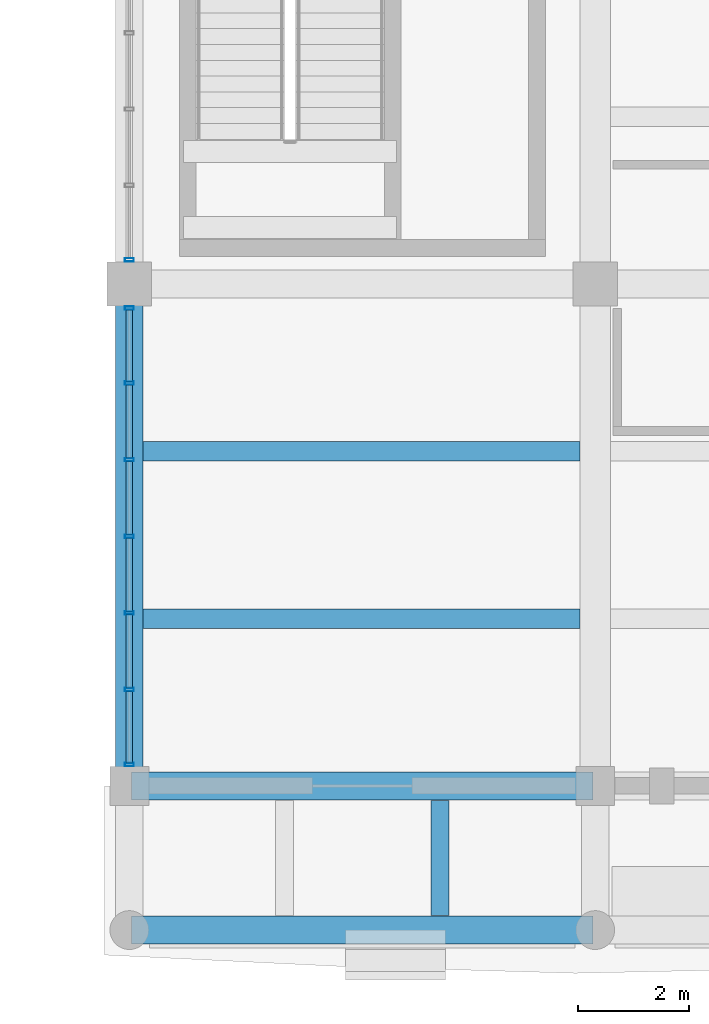
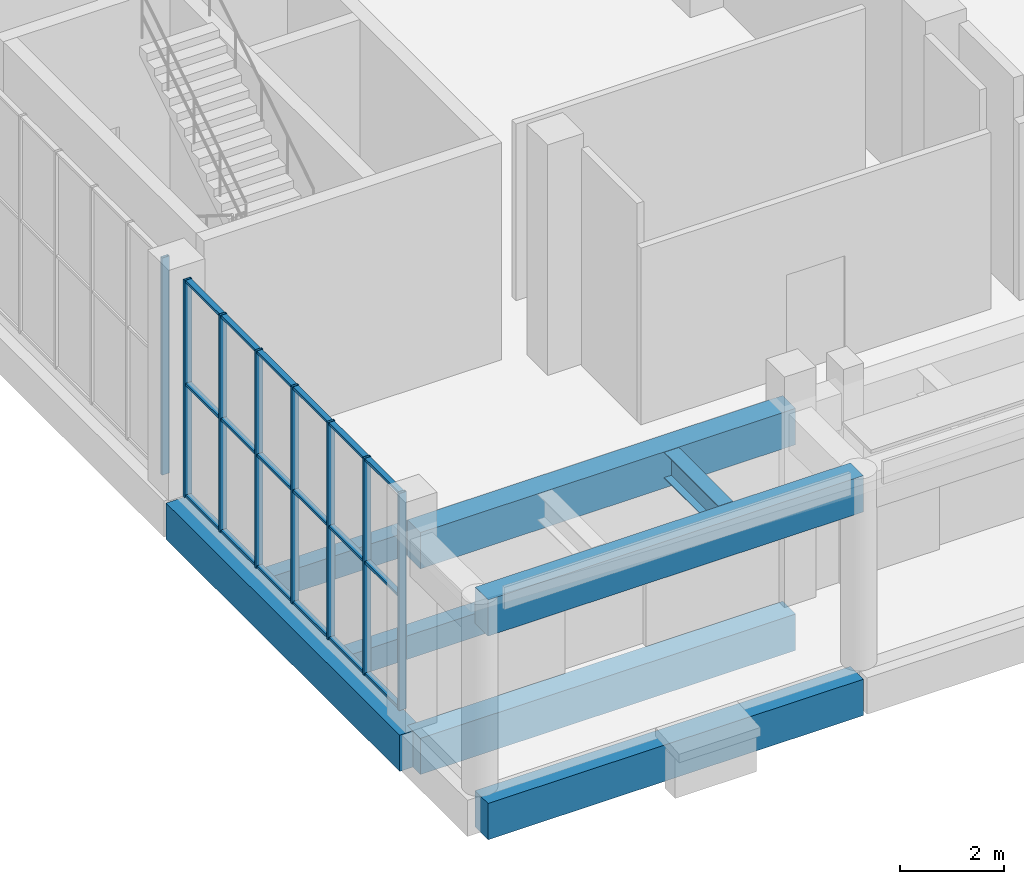
# One storey, part 3 of 91: 26 members, 8 beams, 2 elements without a shape of their own.
"""IFC4 building model written with IfcOpenShell, lengths in metres."""

from ifc_helpers import new_model, si_unit, direction, frame, origin, origin_2d, place, context, subcontext, project, spatial, rectangle, hollow_rectangle, i_section, extrude, material, material_profile, profile_set, type_object, element, aggregate, save


model = new_model("IFC4")

# Units and contexts
model_context = context("Model", 3, precision=1e-05, world=origin(), true_north=direction((0.0, 1.0)))
body_context = subcontext(model_context, "Body", "Model", "MODEL_VIEW")
ifc_project = project(units=[si_unit("LENGTHUNIT", "METRE"), si_unit("AREAUNIT", "SQUARE_METRE"), si_unit("VOLUMEUNIT", "CUBIC_METRE"), si_unit("PLANEANGLEUNIT", "RADIAN"), si_unit("MASSUNIT", "GRAM", prefix="KILO")], contexts=[model_context])

# Site, building, storey
site_placement = place(None, origin())
site = spatial("IfcSite", under=ifc_project, at=site_placement, CompositionType="ELEMENT")
building_placement = place(site_placement, origin())
building = spatial("IfcBuilding", under=site, at=building_placement, Name="Khurvash Pelagic Aquarium", CompositionType="ELEMENT")
storey_placement = place(building_placement, origin())
storey = spatial("IfcBuildingStorey", under=building, at=storey_placement, Name="L00", CompositionType="ELEMENT", Elevation=0.0)

# Beam
ifc_material_1 = material(Name="Steel ASTM A992 Grade 50", Category="steel")
ifc_material_profile_1 = material_profile(ifc_material_1, i_section(OverallWidth=0.324951171875, OverallDepth=0.612060546875, WebThickness=0.0126953125, FlangeThickness=0.01904296875, at=origin_2d()), Name="W24X104")
ifc_profile_set_1 = profile_set([ifc_material_profile_1], Name="Steel ASTM A992 Grade 50")
beam_type_1 = type_object("IfcBeamType", Name="BM-15", PredefinedType="BEAM", material=ifc_profile_set_1)
beam_1_placement = place(storey_placement, frame((30.802978515625, 2.340087890625, 4.194091796875), z_axis=(0.0, -1.0, 0.0), x_axis=(1.0, 0.0, 0.0)))
element("IfcBeam", 1, at=beam_1_placement, inside=storey, type_object=beam_type_1, Name="L00 Boulevard Arcade Raked Canopy Rib BM-15", PredefinedType="BEAM", context=body_context, shape_type="SweptSolid", body=[
    extrude(i_section(OverallWidth=0.324951171875, OverallDepth=0.612060546875, WebThickness=0.0126953125, FlangeThickness=0.01904296875, at=origin_2d()), origin(), (0.0, 0.0, 1.0), 2.080078125),
])

# Curtain wall, member
ifc_material_2 = material(Name="Anodised aluminium and low-E laminated glass", Category="aluminium")
curtain_wall_type = type_object("IfcCurtainWallType", Name="CW-05", PredefinedType="USERDEFINED", material=ifc_material_2)
curtain_wall_1_placement = place(storey_placement, origin())
curtain_wall_1 = element("IfcCurtainWall", 2, at=curtain_wall_1_placement, inside=storey, type_object=curtain_wall_type, Name="L00 Facade Unitised Curtain Wall CW-05 0057", ObjectType="UNITISED CURTAIN WALL", PredefinedType="USERDEFINED")
ifc_material_3 = material(Name="Extruded aluminium AW-6063-T6", Category="aluminium")
ifc_material_profile_2 = material_profile(ifc_material_3, hollow_rectangle(XDim=0.06005859375, YDim=0.159912109375, WallThickness=0.00390625, at=origin_2d()), Name="CWM60X160X4")
ifc_profile_set_2 = profile_set([ifc_material_profile_2], Name="Extruded aluminium AW-6063-T6")
member_type_1 = type_object("IfcMemberType", Name="CM-02", PredefinedType="MULLION", material=ifc_profile_set_2)
member_1_placement = place(storey_placement, frame((25.199951171875, 12.0849609375, 0.0), z_axis=(0.0, 0.0, 1.0), x_axis=(0.0, -1.0, 0.0)))
member_1 = element("IfcMember", 3, at=member_1_placement, type_object=member_type_1, Name="CW-05 mullion 7", PredefinedType="MULLION", context=body_context, shape_type="SweptSolid", body=[
    extrude(hollow_rectangle(XDim=0.06005859375, YDim=0.159912109375, WallThickness=0.00390625, at=origin_2d()), origin(), (0.0, 0.0, 1.0), 5.090087890625),
])
aggregate(curtain_wall_1, [member_1])

# Curtain wall, members
curtain_wall_2_placement = place(storey_placement, origin())
curtain_wall_2 = element("IfcCurtainWall", 4, at=curtain_wall_2_placement, inside=storey, type_object=curtain_wall_type, Name="L00 Facade Unitised Curtain Wall CW-05 0058", ObjectType="UNITISED CURTAIN WALL", PredefinedType="USERDEFINED")
member_2_placement = place(storey_placement, frame((25.199951171875, 11.215087890625, 0.0), z_axis=(0.0, 0.0, 1.0), x_axis=(0.0, -1.0, 0.0)))
member_2 = element("IfcMember", 5, at=member_2_placement, type_object=member_type_1, Name="CW-05 mullion 1", PredefinedType="MULLION", context=body_context, shape_type="SweptSolid", body=[
    extrude(hollow_rectangle(XDim=0.06005859375, YDim=0.159912109375, WallThickness=0.00390625, at=origin_2d()), origin(), (0.0, 0.0, 1.0), 5.090087890625),
])
member_3_placement = place(storey_placement, frame((25.199951171875, 9.86328125, 0.0), z_axis=(0.0, 0.0, 1.0), x_axis=(0.0, -1.0, 0.0)))
member_3 = element("IfcMember", 6, at=member_3_placement, type_object=member_type_1, Name="CW-05 mullion 2", PredefinedType="MULLION", context=body_context, shape_type="SweptSolid", body=[
    extrude(hollow_rectangle(XDim=0.06005859375, YDim=0.159912109375, WallThickness=0.00390625, at=origin_2d()), origin(), (0.0, 0.0, 1.0), 5.090087890625),
])
member_4_placement = place(storey_placement, frame((25.199951171875, 8.481689453125, 0.0), z_axis=(0.0, 0.0, 1.0), x_axis=(0.0, -1.0, 0.0)))
member_4 = element("IfcMember", 7, at=member_4_placement, type_object=member_type_1, Name="CW-05 mullion 3", PredefinedType="MULLION", context=body_context, shape_type="SweptSolid", body=[
    extrude(hollow_rectangle(XDim=0.06005859375, YDim=0.159912109375, WallThickness=0.00390625, at=origin_2d()), origin(), (0.0, 0.0, 1.0), 5.090087890625),
])
member_5_placement = place(storey_placement, frame((25.199951171875, 7.10009765625, 0.0), z_axis=(0.0, 0.0, 1.0), x_axis=(0.0, -1.0, 0.0)))
member_5 = element("IfcMember", 8, at=member_5_placement, type_object=member_type_1, Name="CW-05 mullion 4", PredefinedType="MULLION", context=body_context, shape_type="SweptSolid", body=[
    extrude(hollow_rectangle(XDim=0.06005859375, YDim=0.159912109375, WallThickness=0.00390625, at=origin_2d()), origin(), (0.0, 0.0, 1.0), 5.090087890625),
])
member_6_placement = place(storey_placement, frame((25.199951171875, 5.71826171875, 0.0), z_axis=(0.0, 0.0, 1.0), x_axis=(0.0, -1.0, 0.0)))
member_6 = element("IfcMember", 9, at=member_6_placement, type_object=member_type_1, Name="CW-05 mullion 5", PredefinedType="MULLION", context=body_context, shape_type="SweptSolid", body=[
    extrude(hollow_rectangle(XDim=0.06005859375, YDim=0.159912109375, WallThickness=0.00390625, at=origin_2d()), origin(), (0.0, 0.0, 1.0), 5.090087890625),
])
member_7_placement = place(storey_placement, frame((25.199951171875, 4.336669921875, 0.0), z_axis=(0.0, 0.0, 1.0), x_axis=(0.0, -1.0, 0.0)))
member_7 = element("IfcMember", 10, at=member_7_placement, type_object=member_type_1, Name="CW-05 mullion 6", PredefinedType="MULLION", context=body_context, shape_type="SweptSolid", body=[
    extrude(hollow_rectangle(XDim=0.06005859375, YDim=0.159912109375, WallThickness=0.00390625, at=origin_2d()), origin(), (0.0, 0.0, 1.0), 5.090087890625),
])
member_8_placement = place(storey_placement, frame((25.199951171875, 2.985107421875, 0.0), z_axis=(0.0, 0.0, 1.0), x_axis=(0.0, -1.0, 0.0)))
member_8 = element("IfcMember", 11, at=member_8_placement, type_object=member_type_1, Name="CW-05 mullion 7", PredefinedType="MULLION", context=body_context, shape_type="SweptSolid", body=[
    extrude(hollow_rectangle(XDim=0.06005859375, YDim=0.159912109375, WallThickness=0.00390625, at=origin_2d()), origin(), (0.0, 0.0, 1.0), 5.090087890625),
])
ifc_material_profile_3 = material_profile(ifc_material_3, hollow_rectangle(XDim=0.1201171875, YDim=0.06005859375, WallThickness=0.00390625, at=origin_2d()), Name="CWT120X60X4")
ifc_profile_set_3 = profile_set([ifc_material_profile_3], Name="Extruded aluminium AW-6063-T6")
member_type_2 = type_object("IfcMemberType", Name="CT-02", PredefinedType="USERDEFINED", material=ifc_profile_set_3)
member_9_placement = place(storey_placement, frame((25.199951171875, 11.18505859375, 0.030029296875), z_axis=(0.0, -1.0, 0.0), x_axis=(1.0, 0.0, 0.0)))
member_9 = element("IfcMember", 12, at=member_9_placement, type_object=member_type_2, Name="CW-05 transom 1.1", ObjectType="TRANSOM", PredefinedType="USERDEFINED", context=body_context, shape_type="SweptSolid", body=[
    extrude(hollow_rectangle(XDim=0.1201171875, YDim=0.06005859375, WallThickness=0.00390625, at=origin_2d()), origin(), (0.0, 0.0, 1.0), 1.291748046875),
])
member_10_placement = place(storey_placement, frame((25.199951171875, 11.18505859375, 2.64697265625), z_axis=(0.0, -1.0, 0.0), x_axis=(1.0, 0.0, 0.0)))
member_10 = element("IfcMember", 13, at=member_10_placement, type_object=member_type_2, Name="CW-05 transom 1.2", ObjectType="TRANSOM", PredefinedType="USERDEFINED", context=body_context, shape_type="SweptSolid", body=[
    extrude(hollow_rectangle(XDim=0.1201171875, YDim=0.06005859375, WallThickness=0.00390625, at=origin_2d()), origin(), (0.0, 0.0, 1.0), 1.291748046875),
])
member_11_placement = place(storey_placement, frame((25.199951171875, 11.18505859375, 5.06005859375), z_axis=(0.0, -1.0, 0.0), x_axis=(1.0, 0.0, 0.0)))
member_11 = element("IfcMember", 14, at=member_11_placement, type_object=member_type_2, Name="CW-05 transom 1.3", ObjectType="TRANSOM", PredefinedType="USERDEFINED", context=body_context, shape_type="SweptSolid", body=[
    extrude(hollow_rectangle(XDim=0.1201171875, YDim=0.06005859375, WallThickness=0.00390625, at=origin_2d()), origin(), (0.0, 0.0, 1.0), 1.291748046875),
])
member_12_placement = place(storey_placement, frame((25.199951171875, 9.833251953125, 0.030029296875), z_axis=(0.0, -1.0, 0.0), x_axis=(1.0, 0.0, 0.0)))
member_12 = element("IfcMember", 15, at=member_12_placement, type_object=member_type_2, Name="CW-05 transom 2.1", ObjectType="TRANSOM", PredefinedType="USERDEFINED", context=body_context, shape_type="SweptSolid", body=[
    extrude(hollow_rectangle(XDim=0.1201171875, YDim=0.06005859375, WallThickness=0.00390625, at=origin_2d()), origin(), (0.0, 0.0, 1.0), 1.321533203125),
])
member_13_placement = place(storey_placement, frame((25.199951171875, 9.833251953125, 2.64697265625), z_axis=(0.0, -1.0, 0.0), x_axis=(1.0, 0.0, 0.0)))
member_13 = element("IfcMember", 16, at=member_13_placement, type_object=member_type_2, Name="CW-05 transom 2.2", ObjectType="TRANSOM", PredefinedType="USERDEFINED", context=body_context, shape_type="SweptSolid", body=[
    extrude(hollow_rectangle(XDim=0.1201171875, YDim=0.06005859375, WallThickness=0.00390625, at=origin_2d()), origin(), (0.0, 0.0, 1.0), 1.321533203125),
])
member_14_placement = place(storey_placement, frame((25.199951171875, 9.833251953125, 5.06005859375), z_axis=(0.0, -1.0, 0.0), x_axis=(1.0, 0.0, 0.0)))
member_14 = element("IfcMember", 17, at=member_14_placement, type_object=member_type_2, Name="CW-05 transom 2.3", ObjectType="TRANSOM", PredefinedType="USERDEFINED", context=body_context, shape_type="SweptSolid", body=[
    extrude(hollow_rectangle(XDim=0.1201171875, YDim=0.06005859375, WallThickness=0.00390625, at=origin_2d()), origin(), (0.0, 0.0, 1.0), 1.321533203125),
])
member_15_placement = place(storey_placement, frame((25.199951171875, 8.45166015625, 0.030029296875), z_axis=(0.0, -1.0, 0.0), x_axis=(1.0, 0.0, 0.0)))
member_15 = element("IfcMember", 18, at=member_15_placement, type_object=member_type_2, Name="CW-05 transom 3.1", ObjectType="TRANSOM", PredefinedType="USERDEFINED", context=body_context, shape_type="SweptSolid", body=[
    extrude(hollow_rectangle(XDim=0.1201171875, YDim=0.06005859375, WallThickness=0.00390625, at=origin_2d()), origin(), (0.0, 0.0, 1.0), 1.32177734375),
])
member_16_placement = place(storey_placement, frame((25.199951171875, 8.45166015625, 2.64697265625), z_axis=(0.0, -1.0, 0.0), x_axis=(1.0, 0.0, 0.0)))
member_16 = element("IfcMember", 19, at=member_16_placement, type_object=member_type_2, Name="CW-05 transom 3.2", ObjectType="TRANSOM", PredefinedType="USERDEFINED", context=body_context, shape_type="SweptSolid", body=[
    extrude(hollow_rectangle(XDim=0.1201171875, YDim=0.06005859375, WallThickness=0.00390625, at=origin_2d()), origin(), (0.0, 0.0, 1.0), 1.32177734375),
])
member_17_placement = place(storey_placement, frame((25.199951171875, 8.45166015625, 5.06005859375), z_axis=(0.0, -1.0, 0.0), x_axis=(1.0, 0.0, 0.0)))
member_17 = element("IfcMember", 20, at=member_17_placement, type_object=member_type_2, Name="CW-05 transom 3.3", ObjectType="TRANSOM", PredefinedType="USERDEFINED", context=body_context, shape_type="SweptSolid", body=[
    extrude(hollow_rectangle(XDim=0.1201171875, YDim=0.06005859375, WallThickness=0.00390625, at=origin_2d()), origin(), (0.0, 0.0, 1.0), 1.32177734375),
])
member_18_placement = place(storey_placement, frame((25.199951171875, 7.070068359375, 0.030029296875), z_axis=(0.0, -1.0, 0.0), x_axis=(1.0, 0.0, 0.0)))
member_18 = element("IfcMember", 21, at=member_18_placement, type_object=member_type_2, Name="CW-05 transom 4.1", ObjectType="TRANSOM", PredefinedType="USERDEFINED", context=body_context, shape_type="SweptSolid", body=[
    extrude(hollow_rectangle(XDim=0.1201171875, YDim=0.06005859375, WallThickness=0.00390625, at=origin_2d()), origin(), (0.0, 0.0, 1.0), 1.32177734375),
])
member_19_placement = place(storey_placement, frame((25.199951171875, 7.070068359375, 2.64697265625), z_axis=(0.0, -1.0, 0.0), x_axis=(1.0, 0.0, 0.0)))
member_19 = element("IfcMember", 22, at=member_19_placement, type_object=member_type_2, Name="CW-05 transom 4.2", ObjectType="TRANSOM", PredefinedType="USERDEFINED", context=body_context, shape_type="SweptSolid", body=[
    extrude(hollow_rectangle(XDim=0.1201171875, YDim=0.06005859375, WallThickness=0.00390625, at=origin_2d()), origin(), (0.0, 0.0, 1.0), 1.32177734375),
])
member_20_placement = place(storey_placement, frame((25.199951171875, 7.070068359375, 5.06005859375), z_axis=(0.0, -1.0, 0.0), x_axis=(1.0, 0.0, 0.0)))
member_20 = element("IfcMember", 23, at=member_20_placement, type_object=member_type_2, Name="CW-05 transom 4.3", ObjectType="TRANSOM", PredefinedType="USERDEFINED", context=body_context, shape_type="SweptSolid", body=[
    extrude(hollow_rectangle(XDim=0.1201171875, YDim=0.06005859375, WallThickness=0.00390625, at=origin_2d()), origin(), (0.0, 0.0, 1.0), 1.32177734375),
])
member_21_placement = place(storey_placement, frame((25.199951171875, 5.688232421875, 0.030029296875), z_axis=(0.0, -1.0, 0.0), x_axis=(1.0, 0.0, 0.0)))
member_21 = element("IfcMember", 24, at=member_21_placement, type_object=member_type_2, Name="CW-05 transom 5.1", ObjectType="TRANSOM", PredefinedType="USERDEFINED", context=body_context, shape_type="SweptSolid", body=[
    extrude(hollow_rectangle(XDim=0.1201171875, YDim=0.06005859375, WallThickness=0.00390625, at=origin_2d()), origin(), (0.0, 0.0, 1.0), 1.321533203125),
])
member_22_placement = place(storey_placement, frame((25.199951171875, 5.688232421875, 2.64697265625), z_axis=(0.0, -1.0, 0.0), x_axis=(1.0, 0.0, 0.0)))
member_22 = element("IfcMember", 25, at=member_22_placement, type_object=member_type_2, Name="CW-05 transom 5.2", ObjectType="TRANSOM", PredefinedType="USERDEFINED", context=body_context, shape_type="SweptSolid", body=[
    extrude(hollow_rectangle(XDim=0.1201171875, YDim=0.06005859375, WallThickness=0.00390625, at=origin_2d()), origin(), (0.0, 0.0, 1.0), 1.321533203125),
])
member_23_placement = place(storey_placement, frame((25.199951171875, 5.688232421875, 5.06005859375), z_axis=(0.0, -1.0, 0.0), x_axis=(1.0, 0.0, 0.0)))
member_23 = element("IfcMember", 26, at=member_23_placement, type_object=member_type_2, Name="CW-05 transom 5.3", ObjectType="TRANSOM", PredefinedType="USERDEFINED", context=body_context, shape_type="SweptSolid", body=[
    extrude(hollow_rectangle(XDim=0.1201171875, YDim=0.06005859375, WallThickness=0.00390625, at=origin_2d()), origin(), (0.0, 0.0, 1.0), 1.321533203125),
])
member_24_placement = place(storey_placement, frame((25.199951171875, 4.306640625, 0.030029296875), z_axis=(0.0, -1.0, 0.0), x_axis=(1.0, 0.0, 0.0)))
member_24 = element("IfcMember", 27, at=member_24_placement, type_object=member_type_2, Name="CW-05 transom 6.1", ObjectType="TRANSOM", PredefinedType="USERDEFINED", context=body_context, shape_type="SweptSolid", body=[
    extrude(hollow_rectangle(XDim=0.1201171875, YDim=0.06005859375, WallThickness=0.00390625, at=origin_2d()), origin(), (0.0, 0.0, 1.0), 1.291748046875),
])
member_25_placement = place(storey_placement, frame((25.199951171875, 4.306640625, 2.64697265625), z_axis=(0.0, -1.0, 0.0), x_axis=(1.0, 0.0, 0.0)))
member_25 = element("IfcMember", 28, at=member_25_placement, type_object=member_type_2, Name="CW-05 transom 6.2", ObjectType="TRANSOM", PredefinedType="USERDEFINED", context=body_context, shape_type="SweptSolid", body=[
    extrude(hollow_rectangle(XDim=0.1201171875, YDim=0.06005859375, WallThickness=0.00390625, at=origin_2d()), origin(), (0.0, 0.0, 1.0), 1.291748046875),
])
member_26_placement = place(storey_placement, frame((25.199951171875, 4.306640625, 5.06005859375), z_axis=(0.0, -1.0, 0.0), x_axis=(1.0, 0.0, 0.0)))
member_26 = element("IfcMember", 29, at=member_26_placement, type_object=member_type_2, Name="CW-05 transom 6.3", ObjectType="TRANSOM", PredefinedType="USERDEFINED", context=body_context, shape_type="SweptSolid", body=[
    extrude(hollow_rectangle(XDim=0.1201171875, YDim=0.06005859375, WallThickness=0.00390625, at=origin_2d()), origin(), (0.0, 0.0, 1.0), 1.291748046875),
])
aggregate(curtain_wall_2, [member_2, member_3, member_4, member_5, member_6, member_7, member_8, member_9, member_10, member_11, member_12, member_13, member_14, member_15, member_16, member_17, member_18, member_19, member_20, member_21, member_22, member_23, member_24, member_25, member_26])

# Beams
ifc_material_4 = material(Name="Concrete C35/45", Category="concrete")
ifc_material_profile_4 = material_profile(ifc_material_4, rectangle(XDim=0.35009765625, YDim=0.550048828125, at=origin_2d()), Name="RC350X550")
ifc_profile_set_4 = profile_set([ifc_material_profile_4], Name="Concrete C35/45")
beam_type_2 = type_object("IfcBeamType", Name="JS-01", PredefinedType="JOIST", material=ifc_profile_set_4)
for number, where, z_axis, x_axis, name in (
    (30, (25.449951171875, 5.616943359375, -0.594970703125), (1.0, 0.0, 0.0), (0.0, 1.0, 0.0), "L00 Floor Joist JS-01 00153"),
    (31, (25.449951171875, 8.633056640625, -0.594970703125), (1.0, 0.0, 0.0), (0.0, 1.0, 0.0), "L00 Floor Joist JS-01 00154"),
):
    element("IfcBeam", number, at=place(storey_placement, frame(where, z_axis=z_axis, x_axis=x_axis)), inside=storey, type_object=beam_type_2, Name=name, PredefinedType="JOIST", context=body_context, shape_type="SweptSolid", body=[
        extrude(rectangle(XDim=0.35009765625, YDim=0.550048828125, at=origin_2d()), origin(), (0.0, 0.0, 1.0), 7.875),
    ])
ifc_material_5 = material(Name="Concrete C40/50", Category="concrete")
ifc_material_profile_5 = material_profile(ifc_material_5, rectangle(XDim=0.5, YDim=0.85009765625, at=origin_2d()), Name="RC500X850")
ifc_profile_set_5 = profile_set([ifc_material_profile_5], Name="Concrete C40/50")
beam_type_3 = type_object("IfcBeamType", Name="SEB-03", PredefinedType="SPANDREL", material=ifc_profile_set_5)
beam_2_placement = place(storey_placement, frame((25.239990234375, 2.60009765625, -0.7451171875), z_axis=(1.0, 0.0, 0.0), x_axis=(0.0, 1.0, 0.0)))
element("IfcBeam", 32, at=beam_2_placement, inside=storey, type_object=beam_type_3, Name="L00 Primary Girder SEB-03 00001", PredefinedType="SPANDREL", context=body_context, shape_type="SweptSolid", body=[
    extrude(rectangle(XDim=0.5, YDim=0.85009765625, at=origin_2d()), origin(), (0.0, 0.0, 1.0), 8.320068359375),
])
beam_3_placement = place(storey_placement, frame((25.199951171875, 2.639892578125, -0.7451171875), z_axis=(0.0, 1.0, 0.0), x_axis=(-1.0, 0.0, 0.0)))
element("IfcBeam", 33, at=beam_3_placement, inside=storey, type_object=beam_type_3, Name="L00 Primary Girder SEB-03 00079", PredefinedType="SPANDREL", context=body_context, shape_type="SweptSolid", body=[
    extrude(rectangle(XDim=0.5, YDim=0.85009765625, at=origin_2d()), origin(), (0.0, 0.0, 1.0), 8.97021484375),
])
for number, where, z_axis, x_axis, name in (
    (34, (25.239990234375, 0.0, -0.695068359375), (1.0, 0.0, 0.0), (0.0, 1.0, 0.0), "L00 Boulevard Arcade Grade Beam SEB-03"),
    (35, (25.239990234375, 0.0, 4.074951171875), (1.0, 0.0, 0.0), (0.0, 1.0, 0.0), "L00 Boulevard Arcade Canopy Edge Beam SEB-03"),
    (36, (25.239990234375, 2.60009765625, 4.074951171875), (1.0, 0.0, 0.0), (0.0, 1.0, 0.0), "L00 Boulevard Arcade Rear Canopy Girder SEB-03"),
):
    element("IfcBeam", number, at=place(storey_placement, frame(where, z_axis=z_axis, x_axis=x_axis)), inside=storey, type_object=beam_type_3, Name=name, PredefinedType="SPANDREL", context=body_context, shape_type="SweptSolid", body=[
        extrude(rectangle(XDim=0.5, YDim=0.85009765625, at=origin_2d()), origin(), (0.0, 0.0, 1.0), 8.320068359375),
    ])

save(model, "model.ifc")
